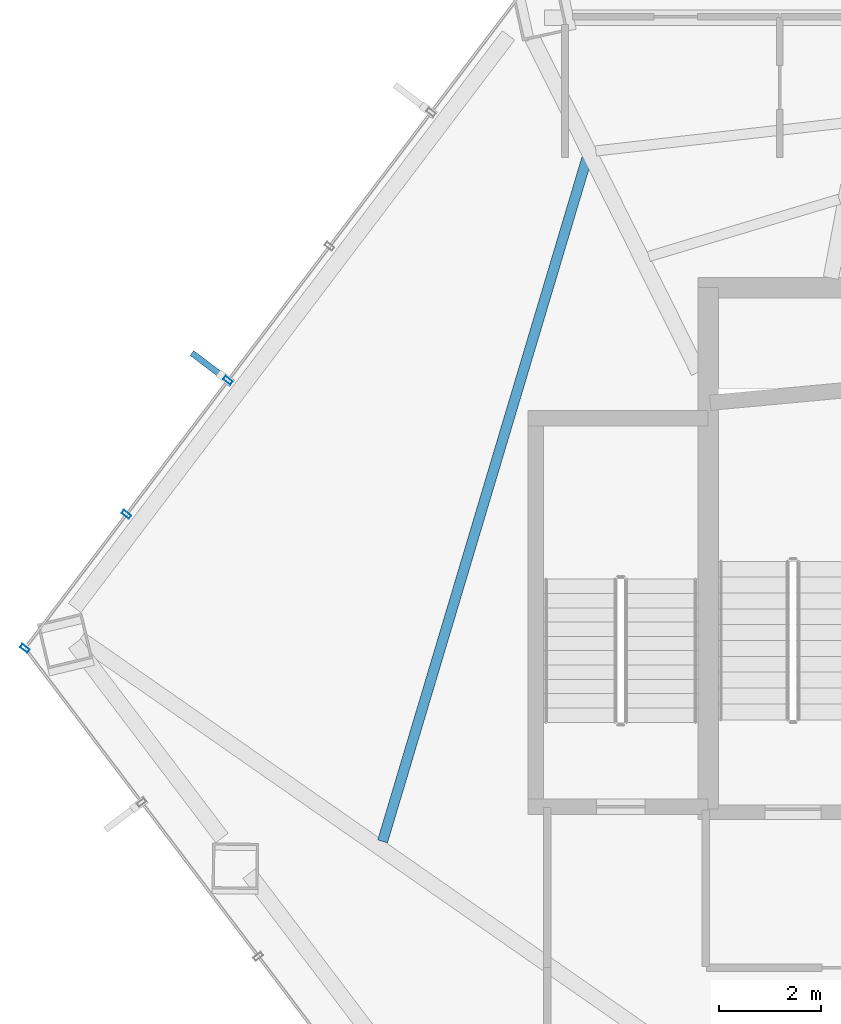
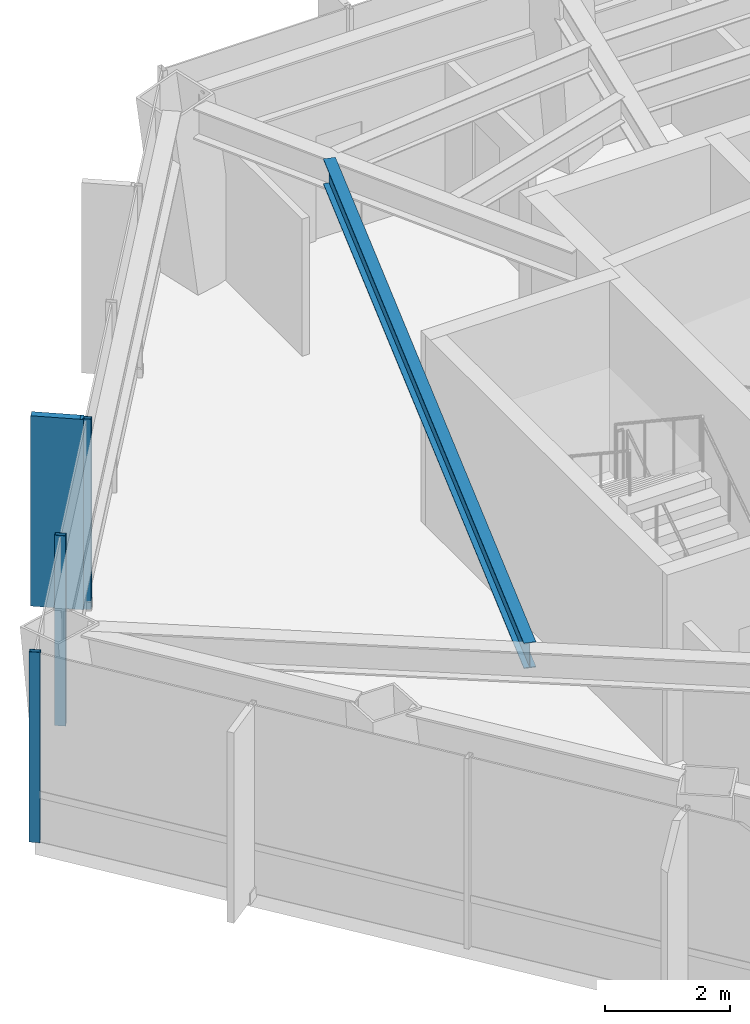
# One storey, part 10 of 25: 4 members, 1 beam, 1 element without a shape of its own.
"""IFC4 building model written with IfcOpenShell, lengths in metres."""

from ifc_helpers import new_model, si_unit, direction, frame, origin, origin_2d, place, context, subcontext, project, spatial, rectangle, hollow_rectangle, i_section, extrude, material, layer, layer_set, material_profile, profile_set, type_object, element, aggregate, save


model = new_model("IFC4")

# Units and contexts
model_context = context("Model", 3, precision=1e-05, world=origin(), true_north=direction((0.0, 1.0)))
body_context = subcontext(model_context, "Body", "Model", "MODEL_VIEW")
ifc_project = project(units=[si_unit("LENGTHUNIT", "METRE"), si_unit("AREAUNIT", "SQUARE_METRE"), si_unit("VOLUMEUNIT", "CUBIC_METRE"), si_unit("PLANEANGLEUNIT", "RADIAN"), si_unit("MASSUNIT", "GRAM", prefix="KILO")], contexts=[model_context])

# Site, building, storey
site_placement = place(None, origin())
site = spatial("IfcSite", under=ifc_project, at=site_placement, CompositionType="ELEMENT")
building_placement = place(site_placement, origin())
building = spatial("IfcBuilding", under=site, at=building_placement, Name="Zarrinselat Tower", CompositionType="ELEMENT")
storey_placement = place(building_placement, frame((0.0, 0.0, 105.06005859375)))
storey = spatial("IfcBuildingStorey", under=building, at=storey_placement, Name="L25", CompositionType="ELEMENT", Elevation=105.06005859375)

# Beam
ifc_material_1 = material(Name="Steel S355J2", Category="steel")
ifc_material_profile_1 = material_profile(ifc_material_1, i_section(OverallWidth=0.199951171875, OverallDepth=0.5, WebThickness=0.01025390625, FlangeThickness=0.01611328125, at=origin_2d()), Name="IPE 500")
ifc_profile_set_1 = profile_set([ifc_material_profile_1], Name="Steel S355J2")
beam_type = type_object("IfcBeamType", Name="BM-IPE500", PredefinedType="JOIST", material=ifc_profile_set_1)
beam_placement = place(storey_placement, frame((22.232177734375, 32.62109375, 3.47998046875), z_axis=(0.286462303516, 0.958091513721, 0.0), x_axis=(-0.958091513721, 0.286462303516, 0.0)))
element("IfcBeam", 1, at=beam_placement, inside=storey, type_object=beam_type, Name="L25 Composite Floor Joist 10-1", PredefinedType="JOIST", context=body_context, shape_type="SweptSolid", body=[
    extrude(i_section(OverallWidth=0.199951171875, OverallDepth=0.5, WebThickness=0.01025390625, FlangeThickness=0.01611328125, at=origin_2d()), origin(), (0.0, 0.0, 1.0), 13.93798828125),
])

# Curtain wall, members
ifc_material_2 = material(Name="Extruded Aluminium Alloy EN AW-6063 T6", Category="aluminium")
ifc_layer = layer(ifc_material_2, 0.18505859375)
ifc_layer_set = layer_set([ifc_layer], Name="Extruded Aluminium Alloy EN AW-6063 T6")
curtain_wall_type = type_object("IfcCurtainWallType", Name="CWS-OFF", PredefinedType="NOTDEFINED", material=ifc_layer_set)
curtain_wall_placement = place(storey_placement, origin())
curtain_wall = element("IfcCurtainWall", 2, at=curtain_wall_placement, inside=storey, type_object=curtain_wall_type, Name="L25 Unitised Curtain Wall CW-L25-E02", PredefinedType="NOTDEFINED")
ifc_material_3 = material(Name="Extruded Aluminium Alloy EN AW-6063 T6", Category="aluminium")
ifc_material_profile_2 = material_profile(ifc_material_3, hollow_rectangle(XDim=0.080078125, YDim=0.179931640625, WallThickness=0.0048828125, at=origin_2d()), Name="RHS 180x80x5")
ifc_profile_set_2 = profile_set([ifc_material_profile_2], Name="Extruded Aluminium Alloy EN AW-6063 T6")
member_type_1 = type_object("IfcMemberType", Name="MEM-CW-MUL", PredefinedType="MULLION", material=ifc_profile_set_2)
member_1_placement = place(storey_placement, frame((19.207275390625, 41.6376953125, 0.0), z_axis=(0.0, 0.0, 1.0), x_axis=(-0.603854877249, -0.7970942775, 0.0)))
member_1 = element("IfcMember", 3, at=member_1_placement, type_object=member_type_1, Name="CW-L25-E02 Mullion 3", PredefinedType="MULLION", context=body_context, shape_type="SweptSolid", body=[
    extrude(hollow_rectangle(XDim=0.080078125, YDim=0.179931640625, WallThickness=0.0048828125, at=origin_2d()), origin(), (0.0, 0.0, 1.0), 3.72998046875),
])
member_2_placement = place(storey_placement, frame((17.2216796875, 39.016845703125, 0.0), z_axis=(0.0, 0.0, 1.0), x_axis=(-0.603854877249, -0.7970942775, 0.0)))
member_2 = element("IfcMember", 4, at=member_2_placement, type_object=member_type_1, Name="CW-L25-E02 Mullion 4", PredefinedType="MULLION", context=body_context, shape_type="SweptSolid", body=[
    extrude(hollow_rectangle(XDim=0.080078125, YDim=0.179931640625, WallThickness=0.0048828125, at=origin_2d()), origin(), (0.0, 0.0, 1.0), 3.72998046875),
])
member_3_placement = place(storey_placement, frame((15.236328125, 36.39599609375, 0.0), z_axis=(0.0, 0.0, 1.0), x_axis=(-0.603854877249, -0.7970942775, 0.0)))
member_3 = element("IfcMember", 5, at=member_3_placement, type_object=member_type_1, Name="CW-L25-E02 Mullion 5", PredefinedType="MULLION", context=body_context, shape_type="SweptSolid", body=[
    extrude(hollow_rectangle(XDim=0.080078125, YDim=0.179931640625, WallThickness=0.0048828125, at=origin_2d()), origin(), (0.0, 0.0, 1.0), 3.72998046875),
])
ifc_material_4 = material(Name="Honed Cream Travertine Stone", Category="masonry")
ifc_material_profile_3 = material_profile(ifc_material_4, rectangle(XDim=0.1201171875, YDim=0.85009765625, at=origin_2d()), Name="FIN 850x120")
ifc_profile_set_3 = profile_set([ifc_material_profile_3], Name="Honed Cream Travertine Stone")
member_type_2 = type_object("IfcMemberType", Name="MEM-STONE-FIN", PredefinedType="USERDEFINED", material=ifc_profile_set_3)
member_4_placement = place(storey_placement, frame((18.840576171875, 41.915283203125, 0.0), z_axis=(0.0, 0.0, 1.0), x_axis=(0.603854877249, 0.7970942775, 0.0)))
member_4 = element("IfcMember", 6, at=member_4_placement, type_object=member_type_2, Name="L25 Stone Shading Fin CW-L25-E02-03", ObjectType="FIN", PredefinedType="USERDEFINED", context=body_context, shape_type="SweptSolid", body=[
    extrude(rectangle(XDim=0.1201171875, YDim=0.85009765625, at=origin_2d()), origin(), (0.0, 0.0, 1.0), 3.72998046875),
])
aggregate(curtain_wall, [member_1, member_4, member_2, member_3])

save(model, "model.ifc")
